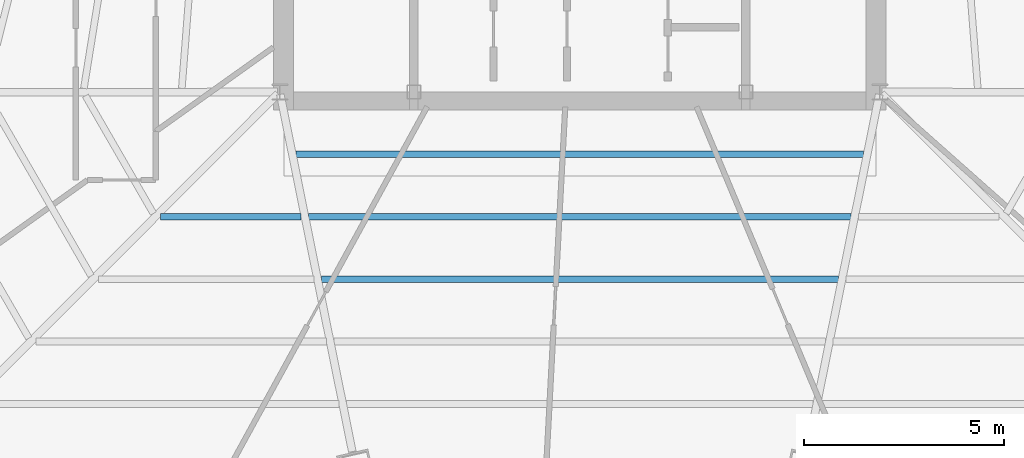
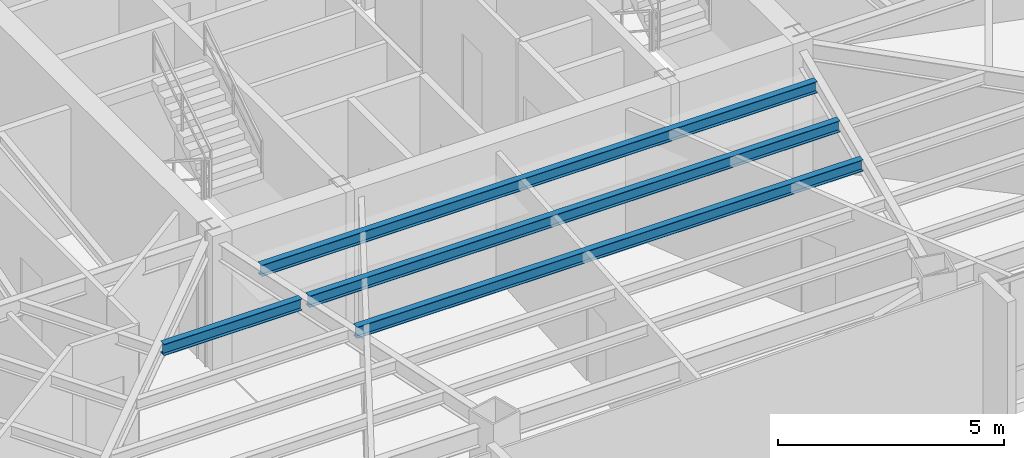
# One storey, part 12 of 42: 4 beams.
"""IFC4 building model written with IfcOpenShell, lengths in metres."""

from ifc_helpers import new_model, si_unit, direction, frame, origin, origin_2d, place, context, subcontext, project, spatial, i_section, extrude, source, transform, mapped, material, material_profile, profile_set, type_object, type_shapes, element, save


model = new_model("IFC4")

# Units and contexts
model_context = context("Model", 3, precision=1e-05, world=origin(), true_north=direction((0.0, 1.0)))
body_context = subcontext(model_context, "Body", "Model", "MODEL_VIEW")
ifc_project = project(units=[si_unit("LENGTHUNIT", "METRE"), si_unit("AREAUNIT", "SQUARE_METRE"), si_unit("VOLUMEUNIT", "CUBIC_METRE"), si_unit("PLANEANGLEUNIT", "RADIAN"), si_unit("MASSUNIT", "GRAM", prefix="KILO")], contexts=[model_context])

# Site, building, storey
site_placement = place(None, origin())
site = spatial("IfcSite", under=ifc_project, at=site_placement, CompositionType="ELEMENT")
building_placement = place(site_placement, origin())
building = spatial("IfcBuilding", under=site, at=building_placement, Name="Caelisora Broadcast Tower", CompositionType="ELEMENT")
storey_placement = place(building_placement, frame((0.0, 0.0, 187.699951171875)))
storey = spatial("IfcBuildingStorey", under=building, at=storey_placement, Name="L49", CompositionType="ELEMENT", Elevation=187.699951171875)

# Beams
ifc_material = material(Name="Steel Grade 350 (AS/NZS 3679.1)", Category="steel")
ifc_material_profile = material_profile(ifc_material, i_section(OverallWidth=0.166015625, OverallDepth=0.30712890625, WebThickness=0.006591796875, FlangeThickness=0.01171875, at=origin_2d()), Name="Steel Grade 350 (AS/NZS 3679.1)")
ifc_profile_set = profile_set([ifc_material_profile], Name="Steel Grade 350 (AS/NZS 3679.1)")
beam_type = type_object("IfcBeamType", Name="SB03", PredefinedType="JOIST", material=ifc_profile_set)
shared_shape_1 = source(origin(), body_context, "Body", "SweptSolid", [
    extrude(i_section(OverallWidth=0.166015625, OverallDepth=0.30712890625, WebThickness=0.006591796875, FlangeThickness=0.01171875, at=origin_2d()), origin(), (0.0, 0.0, 1.0), 3.515380859375),
])
beam_1_placement = place(storey_placement, frame((27.519287109375, 14.28125, 3.246337890625), z_axis=(1.0, 0.0, 0.0), x_axis=(0.0, 1.0, 0.0)))
element("IfcBeam", 1, at=beam_1_placement, inside=storey, type_object=beam_type, Name="L49 beam SB03", PredefinedType="JOIST", context=body_context, shape_type="MappedRepresentation", body=[
    mapped(shared_shape_1, transform((0.0, 0.0, 0.0), scale=1.0)),
])
shared_shape_2 = source(origin(), body_context, "Body", "SweptSolid", [
    extrude(i_section(OverallWidth=0.166015625, OverallDepth=0.30712890625, WebThickness=0.006591796875, FlangeThickness=0.01171875, at=origin_2d()), origin(), (0.0, 0.0, 1.0), 14.18212890625),
])
beam_2_placement = place(storey_placement, frame((30.908935546875, 15.840576171875, 3.246337890625), z_axis=(1.0, 0.0, 0.0), x_axis=(0.0, 1.0, 0.0)))
element("IfcBeam", 2, at=beam_2_placement, inside=storey, type_object=beam_type, Name="L49 beam SB03", PredefinedType="JOIST", context=body_context, shape_type="MappedRepresentation", body=[
    mapped(shared_shape_2, transform((0.0, 0.0, 0.0), scale=1.0)),
])
shared_shape_3 = source(origin(), body_context, "Body", "SweptSolid", [
    extrude(i_section(OverallWidth=0.166015625, OverallDepth=0.30712890625, WebThickness=0.006591796875, FlangeThickness=0.01171875, at=origin_2d()), origin(), (0.0, 0.0, 1.0), 13.55322265625),
])
beam_3_placement = place(storey_placement, frame((31.223388671875, 14.28125, 3.246337890625), z_axis=(1.0, 0.0, 0.0), x_axis=(0.0, 1.0, 0.0)))
element("IfcBeam", 3, at=beam_3_placement, inside=storey, type_object=beam_type, Name="L49 beam SB03", PredefinedType="JOIST", context=body_context, shape_type="MappedRepresentation", body=[
    mapped(shared_shape_3, transform((0.0, 0.0, 0.0), scale=1.0)),
])
shared_shape_4 = source(origin(), body_context, "Body", "SweptSolid", [
    extrude(i_section(OverallWidth=0.166015625, OverallDepth=0.30712890625, WebThickness=0.006591796875, FlangeThickness=0.01171875, at=origin_2d()), origin(), (0.0, 0.0, 1.0), 12.923828125),
])
type_shapes(beam_type, [shared_shape_1, shared_shape_2, shared_shape_3, shared_shape_4])
beam_4_placement = place(storey_placement, frame((31.5380859375, 12.7216796875, 3.246337890625), z_axis=(1.0, 0.0, 0.0), x_axis=(0.0, 1.0, 0.0)))
element("IfcBeam", 4, at=beam_4_placement, inside=storey, type_object=beam_type, Name="L49 beam SB03", PredefinedType="JOIST", context=body_context, shape_type="MappedRepresentation", body=[
    mapped(shared_shape_4, transform((0.0, 0.0, 0.0), scale=1.0)),
])

save(model, "model.ifc")
